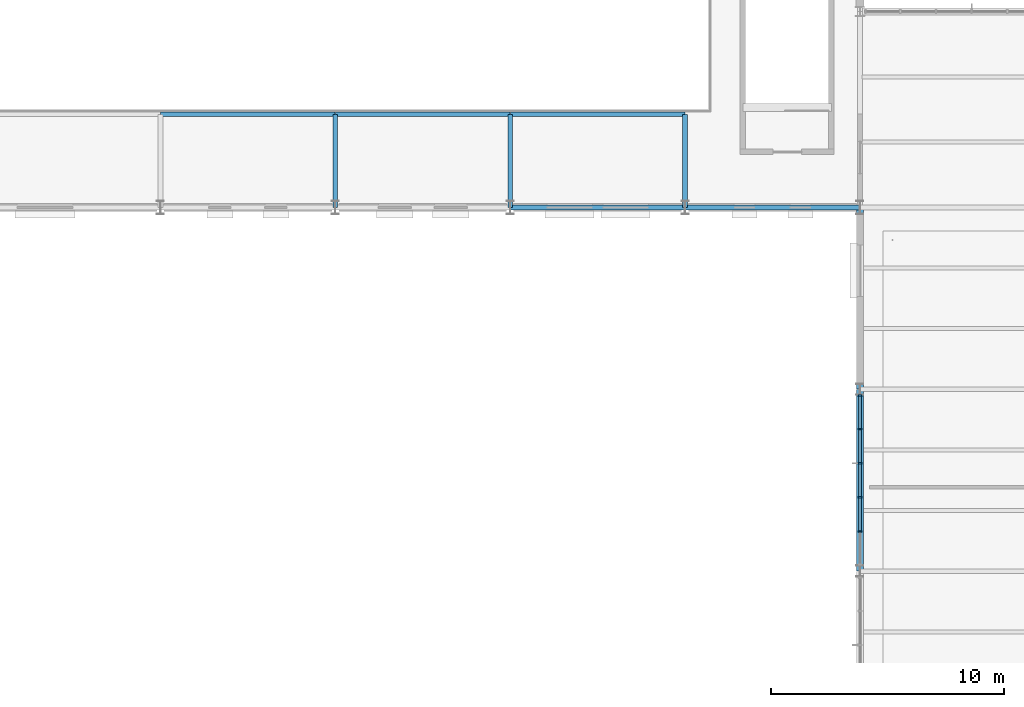
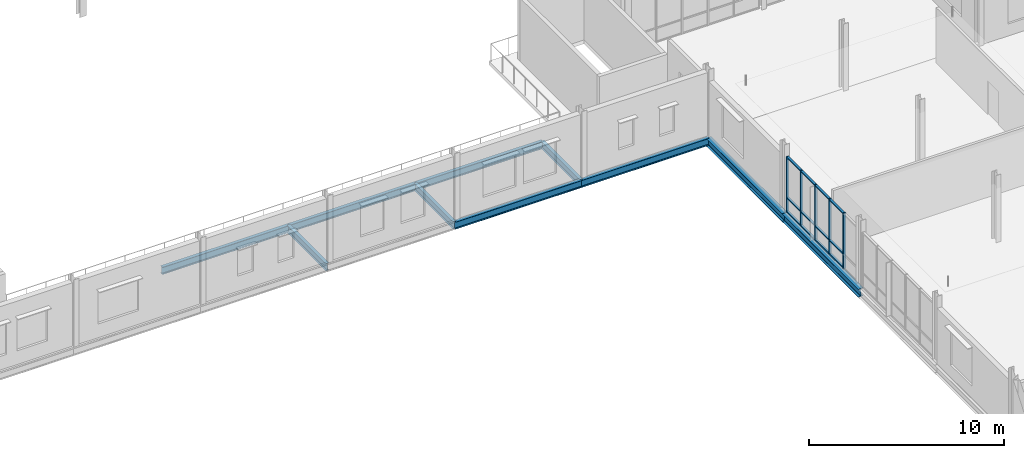
# One storey, part 33 of 75: 17 members, 10 beams, 1 element without a shape of its own.
"""IFC4 building model written with IfcOpenShell, lengths in metres."""

from ifc_helpers import new_model, si_unit, direction, frame, origin, origin_2d, place, context, subcontext, project, spatial, rectangle, i_section, extrude, material, layer, layer_set, material_profile, profile_set, type_object, element, aggregate, save


model = new_model("IFC4")

# Units and contexts
model_context = context("Model", 3, precision=1e-05, world=origin(), true_north=direction((0.0, 1.0)))
body_context = subcontext(model_context, "Body", "Model", "MODEL_VIEW")
ifc_project = project(units=[si_unit("LENGTHUNIT", "METRE"), si_unit("AREAUNIT", "SQUARE_METRE"), si_unit("VOLUMEUNIT", "CUBIC_METRE"), si_unit("PLANEANGLEUNIT", "RADIAN"), si_unit("MASSUNIT", "GRAM", prefix="KILO")], contexts=[model_context])

# Site, building, storey
site_placement = place(None, origin())
site = spatial("IfcSite", under=ifc_project, at=site_placement, CompositionType="ELEMENT")
building_placement = place(site_placement, origin())
building = spatial("IfcBuilding", under=site, at=building_placement, Name="Yukiwa Park Conservatory and Herbarium", CompositionType="ELEMENT")
storey_placement = place(building_placement, frame((0.0, 0.0, 4.800048828125)))
storey = spatial("IfcBuildingStorey", under=building, at=storey_placement, Name="L01", CompositionType="ELEMENT", Elevation=4.800048828125)

# Beams
ifc_material_1 = material(Name="Steel Q355D", Category="steel")
ifc_material_profile_1 = material_profile(ifc_material_1, i_section(OverallWidth=0.199951171875, OverallDepth=0.449951171875, WebThickness=0.009033203125, FlangeThickness=0.013916015625, FilletRadius=0.01806640625, at=origin_2d()), Name="HN 450x200x9x14")
ifc_profile_set_1 = profile_set([ifc_material_profile_1], Name="Steel Q355D")
beam_type_1 = type_object("IfcBeamType", Name="BM-GRD-HN450", PredefinedType="BEAM", material=ifc_profile_set_1)
for number, where, z_axis, x_axis, name in (
    (1, (45.006103515625, 78.0, -0.465087890625), (1.0, 0.0, 0.0), (0.0, 1.0, 0.0), "L01 grid beam X-56"),
    (2, (52.506103515625, 78.0, -0.465087890625), (1.0, 0.0, 0.0), (0.0, 1.0, 0.0), "L01 grid beam X-57"),
):
    element("IfcBeam", number, at=place(storey_placement, frame(where, z_axis=z_axis, x_axis=x_axis)), inside=storey, type_object=beam_type_1, Name=name, PredefinedType="BEAM", context=body_context, shape_type="SweptSolid", body=[
        extrude(i_section(OverallWidth=0.199951171875, OverallDepth=0.449951171875, WebThickness=0.009033203125, FlangeThickness=0.013916015625, FilletRadius=0.01806640625, at=origin_2d()), origin(), (0.0, 0.0, 1.0), 7.48779296875),
    ])
for number, where, z_axis, x_axis, name in (
    (3, (37.5, 78.006103515625, -0.465087890625), (0.0, 1.0, 0.0), (-1.0, 0.0, 0.0), "Auditorium balcony radial beam 3"),
    (4, (45.0, 78.006103515625, -0.465087890625), (0.0, 1.0, 0.0), (-1.0, 0.0, 0.0), "Auditorium balcony radial beam 4"),
    (5, (52.5, 78.006103515625, -0.465087890625), (0.0, 1.0, 0.0), (-1.0, 0.0, 0.0), "Auditorium balcony radial beam 5"),
):
    element("IfcBeam", number, at=place(storey_placement, frame(where, z_axis=z_axis, x_axis=x_axis)), inside=storey, type_object=beam_type_1, Name=name, PredefinedType="BEAM", context=body_context, shape_type="SweptSolid", body=[
        extrude(i_section(OverallWidth=0.199951171875, OverallDepth=0.449951171875, WebThickness=0.009033203125, FlangeThickness=0.013916015625, FilletRadius=0.01806640625, at=origin_2d()), origin(), (0.0, 0.0, 1.0), 3.98779296875),
    ])
for number, where, z_axis, x_axis, name in (
    (6, (30.006103515625, 82.0, -0.465087890625), (1.0, 0.0, 0.0), (0.0, 1.0, 0.0), "Auditorium balcony front beam 2"),
    (7, (37.506103515625, 82.0, -0.465087890625), (1.0, 0.0, 0.0), (0.0, 1.0, 0.0), "Auditorium balcony front beam 3"),
    (8, (45.006103515625, 82.0, -0.465087890625), (1.0, 0.0, 0.0), (0.0, 1.0, 0.0), "Auditorium balcony front beam 4"),
):
    element("IfcBeam", number, at=place(storey_placement, frame(where, z_axis=z_axis, x_axis=x_axis)), inside=storey, type_object=beam_type_1, Name=name, PredefinedType="BEAM", context=body_context, shape_type="SweptSolid", body=[
        extrude(i_section(OverallWidth=0.199951171875, OverallDepth=0.449951171875, WebThickness=0.009033203125, FlangeThickness=0.013916015625, FilletRadius=0.01806640625, at=origin_2d()), origin(), (0.0, 0.0, 1.0), 7.48779296875),
    ])
ifc_material_2 = material(Name="Steel Q355D", Category="steel")
ifc_material_profile_2 = material_profile(ifc_material_2, i_section(OverallWidth=0.300048828125, OverallDepth=0.493896484375, WebThickness=0.010986328125, FlangeThickness=0.014892578125, FilletRadius=0.02392578125, at=origin_2d()), Name="HM 494x300x11x15")
ifc_profile_set_2 = profile_set([ifc_material_profile_2], Name="Steel Q355D")
beam_type_2 = type_object("IfcBeamType", Name="BM-SPN-HN450", PredefinedType="SPANDREL", material=ifc_profile_set_2)
beam_1_placement = place(storey_placement, frame((60.0, 62.406005859375, -0.487060546875), z_axis=(0.0, 1.0, 0.0), x_axis=(-1.0, 0.0, 0.0)))
element("IfcBeam", 9, at=beam_1_placement, inside=storey, type_object=beam_type_2, Name="L01 spandrel girder Y-121", PredefinedType="SPANDREL", context=body_context, shape_type="SweptSolid", body=[
    extrude(i_section(OverallWidth=0.300048828125, OverallDepth=0.493896484375, WebThickness=0.010986328125, FlangeThickness=0.014892578125, FilletRadius=0.02392578125, at=origin_2d()), origin(), (0.0, 0.0, 1.0), 7.7880859375),
])
beam_2_placement = place(storey_placement, frame((60.0, 70.2060546875, -0.487060546875), z_axis=(0.0, 1.0, 0.0), x_axis=(-1.0, 0.0, 0.0)))
element("IfcBeam", 10, at=beam_2_placement, inside=storey, type_object=beam_type_2, Name="L01 spandrel girder Y-122", PredefinedType="SPANDREL", context=body_context, shape_type="SweptSolid", body=[
    extrude(i_section(OverallWidth=0.300048828125, OverallDepth=0.493896484375, WebThickness=0.010986328125, FlangeThickness=0.014892578125, FilletRadius=0.02392578125, at=origin_2d()), origin(), (0.0, 0.0, 1.0), 7.787841796875),
])

# Curtain wall, members
ifc_material_3 = material(Name="Triple Low-E Insulated Glass", Category="glass")
ifc_layer = layer(ifc_material_3, 0.199951171875)
ifc_layer_set = layer_set([ifc_layer], Name="Triple Low-E Insulated Glass")
curtain_wall_type = type_object("IfcCurtainWallType", Name="CW-VISITOR-1600", PredefinedType="NOTDEFINED", material=ifc_layer_set)
curtain_wall_placement = place(storey_placement, origin())
curtain_wall = element("IfcCurtainWall", 11, at=curtain_wall_placement, inside=storey, type_object=curtain_wall_type, Name="L01 unitised curtain wall CW-L01-048", PredefinedType="NOTDEFINED")
ifc_material_4 = material(Name="Anodised Aluminium", Category="aluminium")
member_type_1 = type_object("IfcMemberType", Name="MB-CW-MUL-70X150", PredefinedType="MULLION", material=ifc_material_4)
member_1_placement = place(storey_placement, frame((60.0, 69.9208984375, 0.0), z_axis=(0.0, 0.0, 1.0), x_axis=(0.0, -1.0, 0.0)))
member_1 = element("IfcMember", 12, at=member_1_placement, type_object=member_type_1, Name="CW-L01-048 mullion 1", PredefinedType="MULLION", context=body_context, shape_type="SweptSolid", body=[
    extrude(rectangle(XDim=0.070068359375, YDim=0.14990234375, at=origin_2d()), origin(), (0.0, 0.0, 1.0), 3.4609375),
])
member_2_placement = place(storey_placement, frame((60.0, 68.49365234375, 0.0), z_axis=(0.0, 0.0, 1.0), x_axis=(0.0, -1.0, 0.0)))
member_2 = element("IfcMember", 13, at=member_2_placement, type_object=member_type_1, Name="CW-L01-048 mullion 2", PredefinedType="MULLION", context=body_context, shape_type="SweptSolid", body=[
    extrude(rectangle(XDim=0.070068359375, YDim=0.14990234375, at=origin_2d()), origin(), (0.0, 0.0, 1.0), 3.4609375),
])
member_3_placement = place(storey_placement, frame((60.0, 67.03125, 0.0), z_axis=(0.0, 0.0, 1.0), x_axis=(0.0, -1.0, 0.0)))
member_3 = element("IfcMember", 14, at=member_3_placement, type_object=member_type_1, Name="CW-L01-048 mullion 3", PredefinedType="MULLION", context=body_context, shape_type="SweptSolid", body=[
    extrude(rectangle(XDim=0.070068359375, YDim=0.14990234375, at=origin_2d()), origin(), (0.0, 0.0, 1.0), 3.4609375),
])
member_4_placement = place(storey_placement, frame((60.0, 65.56884765625, 0.0), z_axis=(0.0, 0.0, 1.0), x_axis=(0.0, -1.0, 0.0)))
member_4 = element("IfcMember", 15, at=member_4_placement, type_object=member_type_1, Name="CW-L01-048 mullion 4", PredefinedType="MULLION", context=body_context, shape_type="SweptSolid", body=[
    extrude(rectangle(XDim=0.070068359375, YDim=0.14990234375, at=origin_2d()), origin(), (0.0, 0.0, 1.0), 3.4609375),
])
member_5_placement = place(storey_placement, frame((60.0, 64.1064453125, 0.0), z_axis=(0.0, 0.0, 1.0), x_axis=(0.0, -1.0, 0.0)))
member_5 = element("IfcMember", 16, at=member_5_placement, type_object=member_type_1, Name="CW-L01-048 mullion 5", PredefinedType="MULLION", context=body_context, shape_type="SweptSolid", body=[
    extrude(rectangle(XDim=0.070068359375, YDim=0.14990234375, at=origin_2d()), origin(), (0.0, 0.0, 1.0), 3.4609375),
])
ifc_material_5 = material(Name="Anodised Aluminium", Category="aluminium")
member_type_2 = type_object("IfcMemberType", Name="MB-CW-TRN-70X130", PredefinedType="USERDEFINED", material=ifc_material_5)
member_6_placement = place(storey_placement, frame((60.0, 69.224853515625, 0.0), z_axis=(0.0, 0.0, 1.0), x_axis=(0.0, -1.0, 0.0)))
member_6 = element("IfcMember", 17, at=member_6_placement, type_object=member_type_2, Name="CW-L01-048 transom 1.1", ObjectType="TRANSOM", PredefinedType="USERDEFINED", context=body_context, shape_type="SweptSolid", body=[
    extrude(rectangle(XDim=1.392333984375, YDim=0.1298828125, at=origin_2d()), origin(), (0.0, 0.0, 1.0), 0.070068359375),
])
member_7_placement = place(storey_placement, frame((60.0, 69.224853515625, 0.86474609375), z_axis=(0.0, 0.0, 1.0), x_axis=(0.0, -1.0, 0.0)))
member_7 = element("IfcMember", 18, at=member_7_placement, type_object=member_type_2, Name="CW-L01-048 transom 1.2", ObjectType="TRANSOM", PredefinedType="USERDEFINED", context=body_context, shape_type="SweptSolid", body=[
    extrude(rectangle(XDim=1.392333984375, YDim=0.1298828125, at=origin_2d()), origin(), (0.0, 0.0, 1.0), 0.070068359375),
])
member_8_placement = place(storey_placement, frame((60.0, 69.224853515625, 3.39111328125), z_axis=(0.0, 0.0, 1.0), x_axis=(0.0, -1.0, 0.0)))
member_8 = element("IfcMember", 19, at=member_8_placement, type_object=member_type_2, Name="CW-L01-048 transom 1.3", ObjectType="TRANSOM", PredefinedType="USERDEFINED", context=body_context, shape_type="SweptSolid", body=[
    extrude(rectangle(XDim=1.392333984375, YDim=0.1298828125, at=origin_2d()), origin(), (0.0, 0.0, 1.0), 0.070068359375),
])
member_9_placement = place(storey_placement, frame((60.0, 67.762451171875, 0.0), z_axis=(0.0, 0.0, 1.0), x_axis=(0.0, -1.0, 0.0)))
member_9 = element("IfcMember", 20, at=member_9_placement, type_object=member_type_2, Name="CW-L01-048 transom 2.1", ObjectType="TRANSOM", PredefinedType="USERDEFINED", context=body_context, shape_type="SweptSolid", body=[
    extrude(rectangle(XDim=1.392333984375, YDim=0.1298828125, at=origin_2d()), origin(), (0.0, 0.0, 1.0), 0.070068359375),
])
member_10_placement = place(storey_placement, frame((60.0, 67.762451171875, 0.86474609375), z_axis=(0.0, 0.0, 1.0), x_axis=(0.0, -1.0, 0.0)))
member_10 = element("IfcMember", 21, at=member_10_placement, type_object=member_type_2, Name="CW-L01-048 transom 2.2", ObjectType="TRANSOM", PredefinedType="USERDEFINED", context=body_context, shape_type="SweptSolid", body=[
    extrude(rectangle(XDim=1.392333984375, YDim=0.1298828125, at=origin_2d()), origin(), (0.0, 0.0, 1.0), 0.070068359375),
])
member_11_placement = place(storey_placement, frame((60.0, 67.762451171875, 3.39111328125), z_axis=(0.0, 0.0, 1.0), x_axis=(0.0, -1.0, 0.0)))
member_11 = element("IfcMember", 22, at=member_11_placement, type_object=member_type_2, Name="CW-L01-048 transom 2.3", ObjectType="TRANSOM", PredefinedType="USERDEFINED", context=body_context, shape_type="SweptSolid", body=[
    extrude(rectangle(XDim=1.392333984375, YDim=0.1298828125, at=origin_2d()), origin(), (0.0, 0.0, 1.0), 0.070068359375),
])
member_12_placement = place(storey_placement, frame((60.0, 66.300048828125, 0.0), z_axis=(0.0, 0.0, 1.0), x_axis=(0.0, -1.0, 0.0)))
member_12 = element("IfcMember", 23, at=member_12_placement, type_object=member_type_2, Name="CW-L01-048 transom 3.1", ObjectType="TRANSOM", PredefinedType="USERDEFINED", context=body_context, shape_type="SweptSolid", body=[
    extrude(rectangle(XDim=1.392333984375, YDim=0.1298828125, at=origin_2d()), origin(), (0.0, 0.0, 1.0), 0.070068359375),
])
member_13_placement = place(storey_placement, frame((60.0, 66.300048828125, 0.86474609375), z_axis=(0.0, 0.0, 1.0), x_axis=(0.0, -1.0, 0.0)))
member_13 = element("IfcMember", 24, at=member_13_placement, type_object=member_type_2, Name="CW-L01-048 transom 3.2", ObjectType="TRANSOM", PredefinedType="USERDEFINED", context=body_context, shape_type="SweptSolid", body=[
    extrude(rectangle(XDim=1.392333984375, YDim=0.1298828125, at=origin_2d()), origin(), (0.0, 0.0, 1.0), 0.070068359375),
])
member_14_placement = place(storey_placement, frame((60.0, 66.300048828125, 3.39111328125), z_axis=(0.0, 0.0, 1.0), x_axis=(0.0, -1.0, 0.0)))
member_14 = element("IfcMember", 25, at=member_14_placement, type_object=member_type_2, Name="CW-L01-048 transom 3.3", ObjectType="TRANSOM", PredefinedType="USERDEFINED", context=body_context, shape_type="SweptSolid", body=[
    extrude(rectangle(XDim=1.392333984375, YDim=0.1298828125, at=origin_2d()), origin(), (0.0, 0.0, 1.0), 0.070068359375),
])
member_15_placement = place(storey_placement, frame((60.0, 64.837646484375, 0.0), z_axis=(0.0, 0.0, 1.0), x_axis=(0.0, -1.0, 0.0)))
member_15 = element("IfcMember", 26, at=member_15_placement, type_object=member_type_2, Name="CW-L01-048 transom 4.1", ObjectType="TRANSOM", PredefinedType="USERDEFINED", context=body_context, shape_type="SweptSolid", body=[
    extrude(rectangle(XDim=1.392333984375, YDim=0.1298828125, at=origin_2d()), origin(), (0.0, 0.0, 1.0), 0.070068359375),
])
member_16_placement = place(storey_placement, frame((60.0, 64.837646484375, 0.86474609375), z_axis=(0.0, 0.0, 1.0), x_axis=(0.0, -1.0, 0.0)))
member_16 = element("IfcMember", 27, at=member_16_placement, type_object=member_type_2, Name="CW-L01-048 transom 4.2", ObjectType="TRANSOM", PredefinedType="USERDEFINED", context=body_context, shape_type="SweptSolid", body=[
    extrude(rectangle(XDim=1.392333984375, YDim=0.1298828125, at=origin_2d()), origin(), (0.0, 0.0, 1.0), 0.070068359375),
])
member_17_placement = place(storey_placement, frame((60.0, 64.837646484375, 3.39111328125), z_axis=(0.0, 0.0, 1.0), x_axis=(0.0, -1.0, 0.0)))
member_17 = element("IfcMember", 28, at=member_17_placement, type_object=member_type_2, Name="CW-L01-048 transom 4.3", ObjectType="TRANSOM", PredefinedType="USERDEFINED", context=body_context, shape_type="SweptSolid", body=[
    extrude(rectangle(XDim=1.392333984375, YDim=0.1298828125, at=origin_2d()), origin(), (0.0, 0.0, 1.0), 0.070068359375),
])
aggregate(curtain_wall, [member_1, member_2, member_3, member_4, member_5, member_6, member_7, member_8, member_9, member_10, member_11, member_12, member_13, member_14, member_15, member_16, member_17])

save(model, "model.ifc")
